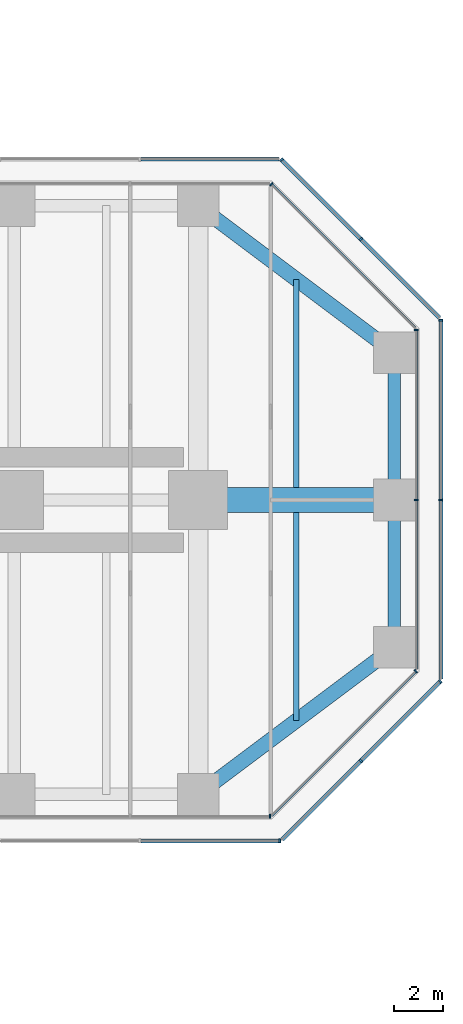
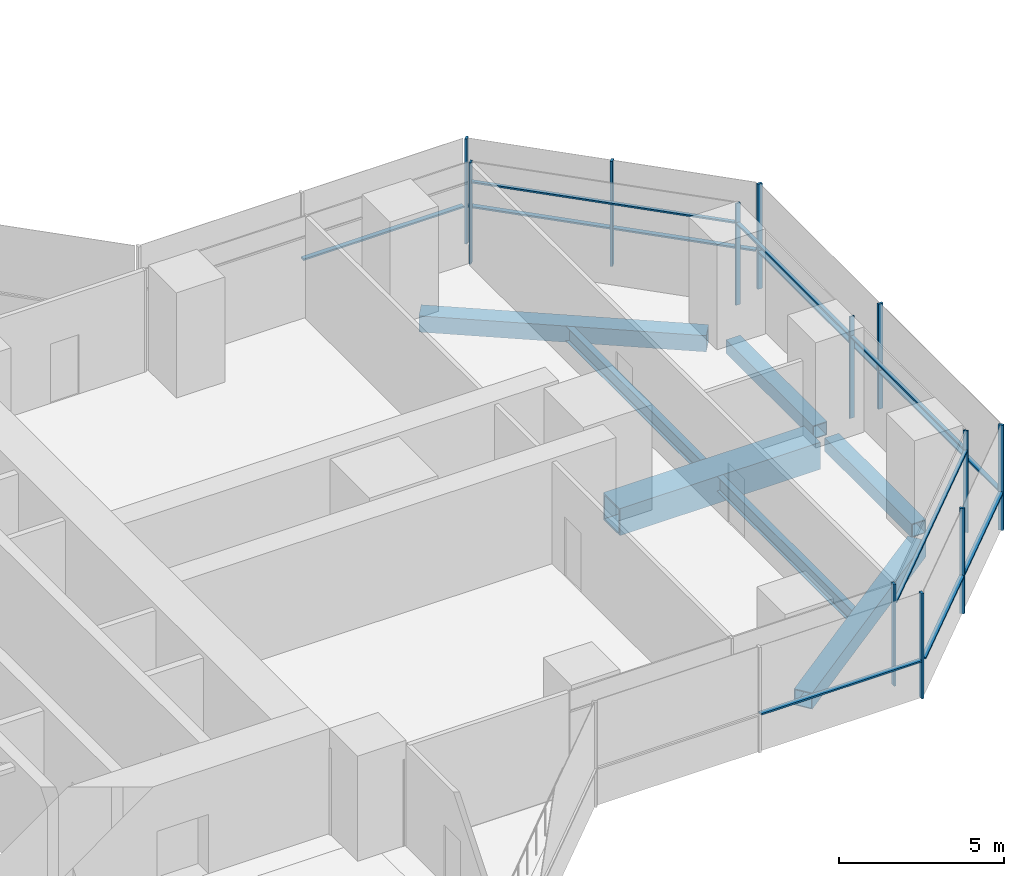
# One storey, part 12 of 22: 24 members, 7 beams, 9 elements without a shape of their own.
"""IFC4 building model written with IfcOpenShell, lengths in metres."""

import ifcopenshell
import ifcopenshell.guid

model = None  # the IFC model being written
_history = None  # IfcOwnerHistory: only IFC2X3 demands one
_inside = {}  # id of a spatial element -> (the spatial element, [elements in it])
_under = {}  # id of a project, library or spatial element -> (it, [spatial elements below it])
_declared = {}  # id of a project -> (the project, [libraries it declares])
_typed = {}  # id of a type object -> (the type object, [elements of that type])
_made_of = {}  # id of a material, layer set ... -> (it, [elements and type objects made of it])


def new_model(schema):
    """Start an empty IFC model of exactly this schema.

    Asked for "IFC4X3", IfcOpenShell would pick the latest addendum, in which some entities
    have other attributes; the version numbers below select the first issue.
    IFC2X3 requires an IfcOwnerHistory on every rooted entity: one is made here for all.
    """
    global model, _history
    if schema == "IFC4X3":
        model = ifcopenshell.file(schema_version=(4, 3, 0, 0))
    else:
        model = ifcopenshell.file(schema=schema)
    _inside.clear()
    _under.clear()
    _declared.clear()
    _typed.clear()
    _made_of.clear()
    _history = None
    if model.schema == "IFC2X3":
        org = make("IfcOrganization", Name="unknown")
        user = make(
            "IfcPersonAndOrganization",
            ThePerson=make("IfcPerson", FamilyName="unknown"),
            TheOrganization=org,
        )
        app = make(
            "IfcApplication",
            ApplicationDeveloper=org,
            Version="unknown",
            ApplicationFullName="unknown",
            ApplicationIdentifier="unknown",
        )
        _history = make(
            "IfcOwnerHistory",
            OwningUser=user,
            OwningApplication=app,
            ChangeAction="ADDED",
            CreationDate=0,
        )
    return model


def make(cls, **values):
    """One entity of the class cls with the attributes given. An attribute that is None is left unset."""
    return model.create_entity(
        cls, **{name: value for name, value in values.items() if value is not None}
    )


def rooted(cls, **values):
    """An entity with a GlobalId (a new one), such as an element, a storey or a relation."""
    return make(cls, GlobalId=ifcopenshell.guid.new(), OwnerHistory=_history, **values)


def si_unit(unit_type, name, prefix=None):
    """IfcSIUnit, for example si_unit("LENGTHUNIT", "METRE", prefix="MILLI")."""
    return make("IfcSIUnit", UnitType=unit_type, Prefix=prefix, Name=name)


def assignment(units):
    """IfcUnitAssignment: the units of a project."""
    return None if units is None else make("IfcUnitAssignment", Units=units)


def point(xyz):
    """IfcCartesianPoint."""
    return None if xyz is None else make("IfcCartesianPoint", Coordinates=xyz)


def direction(xyz):
    """IfcDirection."""
    return None if xyz is None else make("IfcDirection", DirectionRatios=xyz)


def frame(location, z_axis=None, x_axis=None):
    """IfcAxis2Placement3D, a coordinate frame: its origin and axes. An axis left out is left unset."""
    return make(
        "IfcAxis2Placement3D",
        Location=point(location),
        Axis=direction(z_axis),
        RefDirection=direction(x_axis),
    )


def frame_2d(location, x_axis=None):
    """IfcAxis2Placement2D, a coordinate frame in the plane: its origin and x axis."""
    return make(
        "IfcAxis2Placement2D", Location=point(location), RefDirection=direction(x_axis)
    )


def origin():
    """The frame at (0, 0, 0) with its axes left unset."""
    return frame((0.0, 0.0, 0.0))


def origin_2d():
    """The frame at (0, 0) in the plane with its x axis left unset."""
    return frame_2d((0.0, 0.0))


def place(relative_to, where):
    """IfcLocalPlacement: puts the frame where relative to a parent placement (None: the world)."""
    return make(
        "IfcLocalPlacement", PlacementRelTo=relative_to, RelativePlacement=where
    )


def context(
    kind, dimensions, precision=None, world=None, true_north=None, identifier=None
):
    """IfcGeometricRepresentationContext, for example the 3D "Model" context."""
    return make(
        "IfcGeometricRepresentationContext",
        ContextIdentifier=identifier,
        ContextType=kind,
        CoordinateSpaceDimension=dimensions,
        Precision=precision,
        WorldCoordinateSystem=world,
        TrueNorth=true_north,
    )


def subcontext(parent, identifier, kind, view, scale=None):
    """IfcGeometricRepresentationSubContext, for example "Body" below "Model"."""
    return make(
        "IfcGeometricRepresentationSubContext",
        ContextIdentifier=identifier,
        ContextType=kind,
        ParentContext=parent,
        TargetScale=scale,
        TargetView=view,
    )


def project(units=None, contexts=None):
    """IfcProject with its units and contexts."""
    return rooted(
        "IfcProject",
        Name="project",
        RepresentationContexts=contexts,
        UnitsInContext=assignment(units),
    )


def spatial(cls, under=None, at=None, **own):
    """A site, building, storey or space (cls), placed at a placement, below another one or the project."""
    s = rooted(cls, ObjectPlacement=at, **own)
    if under is not None:
        _under.setdefault(under.id(), (under, []))[1].append(s)
    return s


def profile(cls, at=None, kind="AREA", **sizes):
    """A parametric profile (cls). Its sizes go by their IFC names, for example OverallWidth=200.0."""
    return make(cls, ProfileType=kind, Position=at, **sizes)


def rectangle(**sizes):
    """IfcRectangleProfileDef."""
    return profile("IfcRectangleProfileDef", **sizes)


def hollow_rectangle(**sizes):
    """IfcRectangleHollowProfileDef."""
    return profile("IfcRectangleHollowProfileDef", **sizes)


def i_section(**sizes):
    """IfcIShapeProfileDef."""
    return profile("IfcIShapeProfileDef", **sizes)


def extrude(swept, where, along, depth):
    """IfcExtrudedAreaSolid: the profile swept, set in the frame where, extruded along a direction by depth."""
    return make(
        "IfcExtrudedAreaSolid",
        SweptArea=swept,
        Position=where,
        ExtrudedDirection=direction(along),
        Depth=depth,
    )


def shape(context_of_items, identifier, shape_type, items):
    """IfcShapeRepresentation: the items that make up one representation, for example the "Body"."""
    return make(
        "IfcShapeRepresentation",
        ContextOfItems=context_of_items,
        RepresentationIdentifier=identifier,
        RepresentationType=shape_type,
        Items=items,
    )


def material(Name=None, Category=None):
    """IfcMaterial."""
    return make("IfcMaterial", Name=Name, Category=Category)


def material_profile(
    of_material, cross_section, Name=None, Category=None, Priority=None
):
    """IfcMaterialProfile: a cross section and its material."""
    return make(
        "IfcMaterialProfile",
        Name=Name,
        Material=of_material,
        Profile=cross_section,
        Priority=Priority,
        Category=Category,
    )


def profile_set(profiles, Name=None, composite=None):
    """IfcMaterialProfileSet."""
    return make(
        "IfcMaterialProfileSet",
        Name=Name,
        MaterialProfiles=profiles,
        CompositeProfile=composite,
    )


def made_of(thing, what):
    """Note that an element or type object is made of a material, layer set ...; save() writes the relation."""
    if what is not None:
        _made_of.setdefault(what.id(), (what, []))[1].append(thing)
    return thing


def type_object(cls, material=None, **own):
    """A type object (cls), such as IfcWallType, which elements share."""
    return made_of(rooted(cls, **own), material)


def element(
    cls,
    number,
    at=None,
    inside=None,
    cuts=None,
    type_object=None,
    material=None,
    context=None,
    identifier="Body",
    shape_type=None,
    held_by="IfcProductDefinitionShape",
    body=None,
    shapes=None,
    **own,
):
    """One element of the class cls, such as IfcWall. Its Tag is "e" and its number.

    at: its placement. inside: the storey or other place that contains it. cuts: it is an
    opening in that element (IfcRelVoidsElement). A single representation is given by context,
    identifier, shape_type and body (its items); several are given by shapes. held_by: the class
    of the entity that holds the representations. save() writes the other relations.
    """
    e = rooted(cls, Tag="e%d" % number, ObjectPlacement=at, **own)
    if body is not None:
        shapes = [shape(context, identifier, shape_type, body)]
    if shapes is not None:
        e.Representation = make(held_by, Representations=shapes)
    if inside is not None:
        _inside.setdefault(inside.id(), (inside, []))[1].append(e)
    if cuts is not None:
        rooted(
            "IfcRelVoidsElement", RelatingBuildingElement=cuts, RelatedOpeningElement=e
        )
    if type_object is not None:
        _typed.setdefault(type_object.id(), (type_object, []))[1].append(e)
    return made_of(e, material)


def aggregate(whole, parts):
    """IfcRelAggregates: a whole, such as a stair, and the parts it consists of."""
    return rooted("IfcRelAggregates", RelatingObject=whole, RelatedObjects=parts)


def save(model, path):
    """Write the relations noted so far, then the file.

    IfcRelAggregates (storeys below a building ...), IfcRelContainedInSpatialStructure (elements
    in a storey), IfcRelDefinesByType, IfcRelAssociatesMaterial and IfcRelDeclares: one each for
    every whole, place, type object, material and project.
    """
    for whole, parts in _under.values():
        aggregate(whole, parts)
    for where, things in _inside.values():
        rooted(
            "IfcRelContainedInSpatialStructure",
            RelatedElements=things,
            RelatingStructure=where,
        )
    for kind, things in _typed.values():
        rooted("IfcRelDefinesByType", RelatedObjects=things, RelatingType=kind)
    for what, things in _made_of.values():
        rooted("IfcRelAssociatesMaterial", RelatedObjects=things, RelatingMaterial=what)
    for by, libraries in _declared.values():
        rooted("IfcRelDeclares", RelatingContext=by, RelatedDefinitions=libraries)
    model.write(path)


model = new_model("IFC4")

# Units and contexts
model_context = context("Model", 3, precision=1e-05, world=origin(), true_north=direction((0.0, 1.0)))
body_context = subcontext(model_context, "Body", "Model", "MODEL_VIEW")
ifc_project = project(units=[si_unit("LENGTHUNIT", "METRE"), si_unit("AREAUNIT", "SQUARE_METRE"), si_unit("VOLUMEUNIT", "CUBIC_METRE"), si_unit("PLANEANGLEUNIT", "RADIAN"), si_unit("MASSUNIT", "GRAM", prefix="KILO")], contexts=[model_context])

# Site, building, storey
site_placement = place(None, origin())
site = spatial("IfcSite", under=ifc_project, at=site_placement, CompositionType="ELEMENT")
building_placement = place(site_placement, origin())
building = spatial("IfcBuilding", under=site, at=building_placement, Name="Mizan Broadcast Tower", CompositionType="ELEMENT")
storey_placement = place(building_placement, frame((0.0, 0.0, 70.800048828125)))
storey = spatial("IfcBuildingStorey", under=building, at=storey_placement, Name="L14", CompositionType="ELEMENT", Elevation=70.800048828125)

# Beams
ifc_material_1 = material(Name="Steel S355", Category="steel")
ifc_material_profile_1 = material_profile(ifc_material_1, hollow_rectangle(XDim=0.5, YDim=0.5, WallThickness=0.030029296875, at=origin_2d()), Name="BOX 500x500x30")
ifc_profile_set_1 = profile_set([ifc_material_profile_1], Name="Steel S355")
beam_type_1 = type_object("IfcBeamType", Name="EDGE BEAM BOX 500x500x30", PredefinedType="SPANDREL", material=ifc_profile_set_1)
for number, where, z_axis, x_axis, name in (
    (1, (35.0, -5.639892578125, -0.380126953125), (0.0, 1.0, 0.0), (-1.0, 0.0, 0.0), "Edge beam BOX 500x500x30 L14 east arm"),
    (2, (35.0, 5.639892578125, -0.380126953125), (0.0, -1.0, 0.0), (1.0, 0.0, 0.0), "Edge beam BOX 500x500x30 L14 east arm"),
):
    element("IfcBeam", number, at=place(storey_placement, frame(where, z_axis=z_axis, x_axis=x_axis)), inside=storey, type_object=beam_type_1, Name=name, PredefinedType="SPANDREL", context=body_context, shape_type="SweptSolid", body=[
        extrude(hollow_rectangle(XDim=0.5, YDim=0.5, WallThickness=0.030029296875, at=origin_2d()), origin(), (0.0, 0.0, 1.0), 5.27978515625),
    ])
ifc_material_2 = material(Name="Steel S355", Category="steel")
ifc_material_profile_2 = material_profile(ifc_material_2, hollow_rectangle(XDim=0.60009765625, YDim=0.60009765625, WallThickness=0.030029296875, at=origin_2d()), Name="BOX 600x600x30")
ifc_profile_set_2 = profile_set([ifc_material_profile_2], Name="Steel S355")
beam_type_2 = type_object("IfcBeamType", Name="EDGE BEAM BOX 600x600x30", PredefinedType="SPANDREL", material=ifc_profile_set_2)
for number, where, z_axis, x_axis, name in (
    (3, (27.47998046875, -11.639892578125, -0.429931640625), (0.800013316712, 0.599982243973, 0.0), (-0.599982243973, 0.800013316712, 0.0), "Edge beam BOX 600x600x30 L14 east arm"),
    (4, (27.47998046875, 11.639892578125, -0.429931640625), (0.800013316712, -0.599982243973, 0.0), (0.599982243973, 0.800013316712, 0.0), "Edge beam BOX 600x600x30 L14 east arm"),
):
    element("IfcBeam", number, at=place(storey_placement, frame(where, z_axis=z_axis, x_axis=x_axis)), inside=storey, type_object=beam_type_2, Name=name, PredefinedType="SPANDREL", context=body_context, shape_type="SweptSolid", body=[
        extrude(hollow_rectangle(XDim=0.60009765625, YDim=0.60009765625, WallThickness=0.030029296875, at=origin_2d()), origin(), (0.0, 0.0, 1.0), 8.7998046875),
    ])
ifc_material_3 = material(Name="Steel S460", Category="steel")
ifc_material_profile_3 = material_profile(ifc_material_3, hollow_rectangle(XDim=1.0, YDim=1.0, WallThickness=0.06005859375, at=origin_2d()), Name="BOX 1000x1000x60")
ifc_profile_set_3 = profile_set([ifc_material_profile_3], Name="Steel S460")
beam_type_3 = type_object("IfcBeamType", Name="GIRDER BOX 1000x1000x60", PredefinedType="BEAM", material=ifc_profile_set_3)
beam_placement = place(storey_placement, frame((27.47998046875, 0.0, -0.630126953125), z_axis=(1.0, 0.0, 0.0), x_axis=(0.0, 1.0, 0.0)))
element("IfcBeam", 5, at=beam_placement, inside=storey, type_object=beam_type_3, Name="Girder BOX 1000x1000x60 L14 east arm", PredefinedType="BEAM", context=body_context, shape_type="SweptSolid", body=[
    extrude(hollow_rectangle(XDim=1.0, YDim=1.0, WallThickness=0.06005859375, at=origin_2d()), origin(), (0.0, 0.0, 1.0), 7.0400390625),
])

# Curtain wall, member
ifc_material_4 = material(Name="Aluminium framed glazing", Category="aluminium")
curtain_wall_type_1 = type_object("IfcCurtainWallType", Name="INNER SKIN LOW ZONE", PredefinedType="USERDEFINED", material=ifc_material_4)
curtain_wall_1_placement = place(storey_placement, origin())
curtain_wall_1 = element("IfcCurtainWall", 6, at=curtain_wall_1_placement, inside=storey, type_object=curtain_wall_type_1, Name="Inner skin low zone L14 E side", ObjectType="INNER SKIN LOW ZONE", PredefinedType="USERDEFINED")
ifc_material_5 = material(Name="Aluminium, pale anodised", Category="aluminium")
ifc_material_profile_4 = material_profile(ifc_material_5, rectangle(XDim=0.159912109375, YDim=0.06005859375, at=origin_2d()), Name="MULLION 160x60")
ifc_profile_set_4 = profile_set([ifc_material_profile_4], Name="Aluminium, pale anodised")
member_type_1 = type_object("IfcMemberType", Name="INNER SKIN MULLION 60x160", PredefinedType="MULLION", material=ifc_profile_set_4)
member_1_placement = place(storey_placement, frame((29.928466796875, -12.89990234375, 0.0), z_axis=(0.0, 0.0, 1.0), x_axis=(0.0, 1.0, 0.0)))
member_1 = element("IfcMember", 7, at=member_1_placement, type_object=member_type_1, Name="Inner skin low zone L14 E side mullion 3", PredefinedType="MULLION", context=body_context, shape_type="SweptSolid", body=[
    extrude(rectangle(XDim=0.159912109375, YDim=0.06005859375, at=origin_2d()), origin(), (0.0, 0.0, 1.0), 3.77001953125),
])
aggregate(curtain_wall_1, [member_1])

curtain_wall_2_placement = place(storey_placement, origin())
curtain_wall_2 = element("IfcCurtainWall", 8, at=curtain_wall_2_placement, inside=storey, type_object=curtain_wall_type_1, Name="Inner skin low zone L14 E chamfer", ObjectType="INNER SKIN LOW ZONE", PredefinedType="USERDEFINED")
member_2_placement = place(storey_placement, frame((35.87890625, -6.979736328125, 0.0), z_axis=(0.0, 0.0, 1.0), x_axis=(-0.707106781187, 0.707106781187, 0.0)))
member_2 = element("IfcMember", 9, at=member_2_placement, type_object=member_type_1, Name="Inner skin low zone L14 E chamfer mullion 2", PredefinedType="MULLION", context=body_context, shape_type="SweptSolid", body=[
    extrude(rectangle(XDim=0.159912109375, YDim=0.06005859375, at=origin_2d()), origin(), (0.0, 0.0, 1.0), 3.77001953125),
])

# Curtain wall, members
curtain_wall_3_placement = place(storey_placement, origin())
curtain_wall_3 = element("IfcCurtainWall", 10, at=curtain_wall_3_placement, inside=storey, type_object=curtain_wall_type_1, Name="Inner skin low zone L14 E end", ObjectType="INNER SKIN LOW ZONE", PredefinedType="USERDEFINED")
member_3_placement = place(storey_placement, frame((35.89990234375, 0.0, 0.0), z_axis=(0.0, 0.0, 1.0), x_axis=(-1.0, 0.0, 0.0)))
member_3 = element("IfcMember", 11, at=member_3_placement, type_object=member_type_1, Name="Inner skin low zone L14 E end mullion 2", PredefinedType="MULLION", context=body_context, shape_type="SweptSolid", body=[
    extrude(rectangle(XDim=0.159912109375, YDim=0.06005859375, at=origin_2d()), origin(), (0.0, 0.0, 1.0), 3.77001953125),
])
member_4_placement = place(storey_placement, frame((35.89990234375, 6.928466796875, 0.0), z_axis=(0.0, 0.0, 1.0), x_axis=(-1.0, 0.0, 0.0)))
member_4 = element("IfcMember", 12, at=member_4_placement, type_object=member_type_1, Name="Inner skin low zone L14 E end mullion 3", PredefinedType="MULLION", context=body_context, shape_type="SweptSolid", body=[
    extrude(rectangle(XDim=0.159912109375, YDim=0.06005859375, at=origin_2d()), origin(), (0.0, 0.0, 1.0), 3.77001953125),
])

# Curtain wall, member
curtain_wall_4_placement = place(storey_placement, origin())
curtain_wall_4 = element("IfcCurtainWall", 13, at=curtain_wall_4_placement, inside=storey, type_object=curtain_wall_type_1, Name="Inner skin low zone L14 E chamfer", ObjectType="INNER SKIN LOW ZONE", PredefinedType="USERDEFINED")
member_5_placement = place(storey_placement, frame((29.979736328125, 12.87890625, 0.0), z_axis=(0.0, 0.0, 1.0), x_axis=(-0.707106781187, -0.707106781187, 0.0)))
member_5 = element("IfcMember", 14, at=member_5_placement, type_object=member_type_1, Name="Inner skin low zone L14 E chamfer mullion 2", PredefinedType="MULLION", context=body_context, shape_type="SweptSolid", body=[
    extrude(rectangle(XDim=0.159912109375, YDim=0.06005859375, at=origin_2d()), origin(), (0.0, 0.0, 1.0), 3.77001953125),
])

# Member
ifc_material_6 = material(Name="Aluminium, pale anodised", Category="aluminium")
ifc_material_profile_5 = material_profile(ifc_material_6, rectangle(XDim=0.1201171875, YDim=0.06005859375, at=origin_2d()), Name="TRANSOM 120x60")
ifc_profile_set_5 = profile_set([ifc_material_profile_5], Name="Aluminium, pale anodised")
member_type_2 = type_object("IfcMemberType", Name="INNER SKIN TRANSOM 60x120", PredefinedType="USERDEFINED", material=ifc_profile_set_5)
member_6_placement = place(storey_placement, frame((30.0009765625, -12.857666015625, 3.030029296875), z_axis=(0.707106781187, 0.707106781187, 0.0), x_axis=(-0.707106781187, 0.707106781187, 0.0)))
member_6 = element("IfcMember", 15, at=member_6_placement, type_object=member_type_2, Name="Inner skin low zone L14 E chamfer transom 1.1", ObjectType="TRANSOM", PredefinedType="USERDEFINED", context=body_context, shape_type="SweptSolid", body=[
    extrude(rectangle(XDim=0.1201171875, YDim=0.06005859375, at=origin_2d()), origin(), (0.0, 0.0, 1.0), 8.28271484375),
])

aggregate(curtain_wall_2, [member_2, member_6])

member_7_placement = place(storey_placement, frame((35.89990234375, -6.898681640625, 3.030029296875), z_axis=(0.0, 1.0, 0.0), x_axis=(-1.0, 0.0, 0.0)))
member_7 = element("IfcMember", 16, at=member_7_placement, type_object=member_type_2, Name="Inner skin low zone L14 E end transom 1.1", ObjectType="TRANSOM", PredefinedType="USERDEFINED", context=body_context, shape_type="SweptSolid", body=[
    extrude(rectangle(XDim=0.1201171875, YDim=0.06005859375, at=origin_2d()), origin(), (0.0, 0.0, 1.0), 6.86865234375),
])

member_8_placement = place(storey_placement, frame((35.89990234375, 0.030029296875, 3.030029296875), z_axis=(0.0, 1.0, 0.0), x_axis=(-1.0, 0.0, 0.0)))
member_8 = element("IfcMember", 17, at=member_8_placement, type_object=member_type_2, Name="Inner skin low zone L14 E end transom 2.1", ObjectType="TRANSOM", PredefinedType="USERDEFINED", context=body_context, shape_type="SweptSolid", body=[
    extrude(rectangle(XDim=0.1201171875, YDim=0.06005859375, at=origin_2d()), origin(), (0.0, 0.0, 1.0), 6.86865234375),
])

aggregate(curtain_wall_3, [member_3, member_4, member_7, member_8])

member_9_placement = place(storey_placement, frame((35.857666015625, 7.0009765625, 3.030029296875), z_axis=(-0.707106781187, 0.707106781187, 0.0), x_axis=(-0.707106781187, -0.707106781187, 0.0)))
member_9 = element("IfcMember", 18, at=member_9_placement, type_object=member_type_2, Name="Inner skin low zone L14 E chamfer transom 1.1", ObjectType="TRANSOM", PredefinedType="USERDEFINED", context=body_context, shape_type="SweptSolid", body=[
    extrude(rectangle(XDim=0.1201171875, YDim=0.06005859375, at=origin_2d()), origin(), (0.0, 0.0, 1.0), 8.28271484375),
])

aggregate(curtain_wall_4, [member_5, member_9])

# Curtain wall, members
ifc_material_7 = material(Name="Aluminium framed glazing", Category="aluminium")
curtain_wall_type_2 = type_object("IfcCurtainWallType", Name="OUTER SKIN", PredefinedType="USERDEFINED", material=ifc_material_7)
curtain_wall_5_placement = place(storey_placement, origin())
curtain_wall_5 = element("IfcCurtainWall", 19, at=curtain_wall_5_placement, inside=storey, type_object=curtain_wall_type_2, Name="Outer skin L14 E chamfer", ObjectType="OUTER SKIN", PredefinedType="USERDEFINED")
ifc_material_8 = material(Name="Aluminium, pale anodised", Category="aluminium")
ifc_material_profile_6 = material_profile(ifc_material_8, rectangle(XDim=0.159912109375, YDim=0.080078125, at=origin_2d()), Name="MULLION 160x80")
ifc_profile_set_6 = profile_set([ifc_material_profile_6], Name="Aluminium, pale anodised")
member_type_3 = type_object("IfcMemberType", Name="OUTER SKIN MULLION 80x160", PredefinedType="MULLION", material=ifc_profile_set_6)
member_10_placement = place(storey_placement, frame((33.636474609375, -10.636474609375, 0.0), z_axis=(0.0, 0.0, 1.0), x_axis=(-0.707106781187, 0.707106781187, 0.0)))
member_10 = element("IfcMember", 20, at=member_10_placement, type_object=member_type_3, Name="Outer skin L14 E chamfer mullion 2", PredefinedType="MULLION", context=body_context, shape_type="SweptSolid", body=[
    extrude(rectangle(XDim=0.159912109375, YDim=0.080078125, at=origin_2d()), origin(), (0.0, 0.0, 1.0), 3.89990234375),
])
member_11_placement = place(storey_placement, frame((36.871826171875, -7.401123046875, 0.0), z_axis=(0.0, 0.0, 1.0), x_axis=(-0.707106781187, 0.707106781187, 0.0)))
member_11 = element("IfcMember", 21, at=member_11_placement, type_object=member_type_3, Name="Outer skin L14 E chamfer mullion 3", PredefinedType="MULLION", context=body_context, shape_type="SweptSolid", body=[
    extrude(rectangle(XDim=0.159912109375, YDim=0.080078125, at=origin_2d()), origin(), (0.0, 0.0, 1.0), 3.89990234375),
])

curtain_wall_6_placement = place(storey_placement, origin())
curtain_wall_6 = element("IfcCurtainWall", 22, at=curtain_wall_6_placement, inside=storey, type_object=curtain_wall_type_2, Name="Outer skin L14 E end", ObjectType="OUTER SKIN", PredefinedType="USERDEFINED")
member_12_placement = place(storey_placement, frame((36.89990234375, 0.0, 0.0), z_axis=(0.0, 0.0, 1.0), x_axis=(-1.0, 0.0, 0.0)))
member_12 = element("IfcMember", 23, at=member_12_placement, type_object=member_type_3, Name="Outer skin L14 E end mullion 2", PredefinedType="MULLION", context=body_context, shape_type="SweptSolid", body=[
    extrude(rectangle(XDim=0.159912109375, YDim=0.080078125, at=origin_2d()), origin(), (0.0, 0.0, 1.0), 3.89990234375),
])
member_13_placement = place(storey_placement, frame((36.89990234375, 7.332763671875, 0.0), z_axis=(0.0, 0.0, 1.0), x_axis=(-1.0, 0.0, 0.0)))
member_13 = element("IfcMember", 24, at=member_13_placement, type_object=member_type_3, Name="Outer skin L14 E end mullion 3", PredefinedType="MULLION", context=body_context, shape_type="SweptSolid", body=[
    extrude(rectangle(XDim=0.159912109375, YDim=0.080078125, at=origin_2d()), origin(), (0.0, 0.0, 1.0), 3.89990234375),
])

curtain_wall_7_placement = place(storey_placement, origin())
curtain_wall_7 = element("IfcCurtainWall", 25, at=curtain_wall_7_placement, inside=storey, type_object=curtain_wall_type_2, Name="Outer skin L14 E chamfer", ObjectType="OUTER SKIN", PredefinedType="USERDEFINED")
member_14_placement = place(storey_placement, frame((33.636474609375, 10.636474609375, 0.0), z_axis=(0.0, 0.0, 1.0), x_axis=(-0.707106781187, -0.707106781187, 0.0)))
member_14 = element("IfcMember", 26, at=member_14_placement, type_object=member_type_3, Name="Outer skin L14 E chamfer mullion 2", PredefinedType="MULLION", context=body_context, shape_type="SweptSolid", body=[
    extrude(rectangle(XDim=0.159912109375, YDim=0.080078125, at=origin_2d()), origin(), (0.0, 0.0, 1.0), 3.89990234375),
])
member_15_placement = place(storey_placement, frame((30.401123046875, 13.871826171875, 0.0), z_axis=(0.0, 0.0, 1.0), x_axis=(-0.707106781187, -0.707106781187, 0.0)))
member_15 = element("IfcMember", 27, at=member_15_placement, type_object=member_type_3, Name="Outer skin L14 E chamfer mullion 3", PredefinedType="MULLION", context=body_context, shape_type="SweptSolid", body=[
    extrude(rectangle(XDim=0.159912109375, YDim=0.080078125, at=origin_2d()), origin(), (0.0, 0.0, 1.0), 3.89990234375),
])

# Curtain wall, member
curtain_wall_8_placement = place(storey_placement, origin())
curtain_wall_8 = element("IfcCurtainWall", 28, at=curtain_wall_8_placement, inside=storey, type_object=curtain_wall_type_2, Name="Outer skin L14 E side", ObjectType="OUTER SKIN", PredefinedType="USERDEFINED")
member_16_placement = place(storey_placement, frame((30.332763671875, -13.89990234375, 0.0), z_axis=(0.0, 0.0, 1.0), x_axis=(0.0, 1.0, 0.0)))
member_16 = element("IfcMember", 29, at=member_16_placement, type_object=member_type_3, Name="Outer skin L14 E side mullion 3", PredefinedType="MULLION", context=body_context, shape_type="SweptSolid", body=[
    extrude(rectangle(XDim=0.159912109375, YDim=0.080078125, at=origin_2d()), origin(), (0.0, 0.0, 1.0), 3.89990234375),
])

# Member
ifc_material_9 = material(Name="Aluminium, pale anodised", Category="aluminium")
ifc_material_profile_7 = material_profile(ifc_material_9, rectangle(XDim=0.159912109375, YDim=0.06005859375, at=origin_2d()), Name="TRANSOM 160x60")
ifc_profile_set_7 = profile_set([ifc_material_profile_7], Name="Aluminium, pale anodised")
member_type_4 = type_object("IfcMemberType", Name="OUTER SKIN TRANSOM 60x160", PredefinedType="USERDEFINED", material=ifc_profile_set_7)
member_17_placement = place(storey_placement, frame((30.429443359375, -13.843505859375, 1.39990234375), z_axis=(0.707106781187, 0.707106781187, 0.0), x_axis=(-0.707106781187, 0.707106781187, 0.0)))
member_17 = element("IfcMember", 30, at=member_17_placement, type_object=member_type_4, Name="Outer skin L14 E chamfer transom 1.1", ObjectType="TRANSOM", PredefinedType="USERDEFINED", context=body_context, shape_type="SweptSolid", body=[
    extrude(rectangle(XDim=0.159912109375, YDim=0.06005859375, at=origin_2d()), origin(), (0.0, 0.0, 1.0), 4.495361328125),
])

member_18_placement = place(storey_placement, frame((33.664794921875, -10.608154296875, 1.39990234375), z_axis=(0.707106781187, 0.707106781187, 0.0), x_axis=(-0.707106781187, 0.707106781187, 0.0)))
member_18 = element("IfcMember", 31, at=member_18_placement, type_object=member_type_4, Name="Outer skin L14 E chamfer transom 2.1", ObjectType="TRANSOM", PredefinedType="USERDEFINED", context=body_context, shape_type="SweptSolid", body=[
    extrude(rectangle(XDim=0.159912109375, YDim=0.06005859375, at=origin_2d()), origin(), (0.0, 0.0, 1.0), 4.495361328125),
])

aggregate(curtain_wall_5, [member_10, member_11, member_17, member_18])

member_19_placement = place(storey_placement, frame((36.89990234375, -7.292724609375, 1.39990234375), z_axis=(0.0, 1.0, 0.0), x_axis=(-1.0, 0.0, 0.0)))
member_19 = element("IfcMember", 32, at=member_19_placement, type_object=member_type_4, Name="Outer skin L14 E end transom 1.1", ObjectType="TRANSOM", PredefinedType="USERDEFINED", context=body_context, shape_type="SweptSolid", body=[
    extrude(rectangle(XDim=0.159912109375, YDim=0.06005859375, at=origin_2d()), origin(), (0.0, 0.0, 1.0), 7.252685546875),
])

member_20_placement = place(storey_placement, frame((36.89990234375, 0.0400390625, 1.39990234375), z_axis=(0.0, 1.0, 0.0), x_axis=(-1.0, 0.0, 0.0)))
member_20 = element("IfcMember", 33, at=member_20_placement, type_object=member_type_4, Name="Outer skin L14 E end transom 2.1", ObjectType="TRANSOM", PredefinedType="USERDEFINED", context=body_context, shape_type="SweptSolid", body=[
    extrude(rectangle(XDim=0.159912109375, YDim=0.06005859375, at=origin_2d()), origin(), (0.0, 0.0, 1.0), 7.252685546875),
])

aggregate(curtain_wall_6, [member_12, member_13, member_19, member_20])

member_21_placement = place(storey_placement, frame((36.843505859375, 7.429443359375, 1.39990234375), z_axis=(-0.707106781187, 0.707106781187, 0.0), x_axis=(-0.707106781187, -0.707106781187, 0.0)))
member_21 = element("IfcMember", 34, at=member_21_placement, type_object=member_type_4, Name="Outer skin L14 E chamfer transom 1.1", ObjectType="TRANSOM", PredefinedType="USERDEFINED", context=body_context, shape_type="SweptSolid", body=[
    extrude(rectangle(XDim=0.159912109375, YDim=0.06005859375, at=origin_2d()), origin(), (0.0, 0.0, 1.0), 4.495361328125),
])

member_22_placement = place(storey_placement, frame((33.608154296875, 10.664794921875, 1.39990234375), z_axis=(-0.707106781187, 0.707106781187, 0.0), x_axis=(-0.707106781187, -0.707106781187, 0.0)))
member_22 = element("IfcMember", 35, at=member_22_placement, type_object=member_type_4, Name="Outer skin L14 E chamfer transom 2.1", ObjectType="TRANSOM", PredefinedType="USERDEFINED", context=body_context, shape_type="SweptSolid", body=[
    extrude(rectangle(XDim=0.159912109375, YDim=0.06005859375, at=origin_2d()), origin(), (0.0, 0.0, 1.0), 4.495361328125),
])

aggregate(curtain_wall_7, [member_14, member_15, member_21, member_22])

# Curtain wall, member
curtain_wall_9_placement = place(storey_placement, origin())
curtain_wall_9 = element("IfcCurtainWall", 36, at=curtain_wall_9_placement, inside=storey, type_object=curtain_wall_type_2, Name="Outer skin L14 E side", ObjectType="OUTER SKIN", PredefinedType="USERDEFINED")
member_23_placement = place(storey_placement, frame((30.292724609375, 13.89990234375, 1.39990234375), z_axis=(-1.0, 0.0, 0.0), x_axis=(0.0, -1.0, 0.0)))
member_23 = element("IfcMember", 37, at=member_23_placement, type_object=member_type_4, Name="Outer skin L14 E side transom 1.1", ObjectType="TRANSOM", PredefinedType="USERDEFINED", context=body_context, shape_type="SweptSolid", body=[
    extrude(rectangle(XDim=0.159912109375, YDim=0.06005859375, at=origin_2d()), origin(), (0.0, 0.0, 1.0), 5.6298828125),
])
aggregate(curtain_wall_9, [member_23])

# Member
member_24_placement = place(storey_placement, frame((24.662841796875, -13.89990234375, 1.39990234375), z_axis=(1.0, 0.0, 0.0), x_axis=(0.0, 1.0, 0.0)))
member_24 = element("IfcMember", 38, at=member_24_placement, type_object=member_type_4, Name="Outer skin L14 E side transom 2.1", ObjectType="TRANSOM", PredefinedType="USERDEFINED", context=body_context, shape_type="SweptSolid", body=[
    extrude(rectangle(XDim=0.159912109375, YDim=0.06005859375, at=origin_2d()), origin(), (0.0, 0.0, 1.0), 5.6298828125),
])

aggregate(curtain_wall_8, [member_16, member_24])

# Beams
ifc_material_10 = material(Name="Steel S355", Category="steel")
ifc_material_profile_8 = material_profile(ifc_material_10, i_section(OverallWidth=0.2099609375, OverallDepth=0.550048828125, WebThickness=0.010986328125, FlangeThickness=0.01708984375, FilletRadius=0.02392578125, at=origin_2d()), Name="IPE 550")
ifc_profile_set_8 = profile_set([ifc_material_profile_8], Name="Steel S355")
beam_type_4 = type_object("IfcBeamType", Name="SECONDARY BEAM IPE 550", PredefinedType="JOIST", material=ifc_profile_set_8)
for number, where, z_axis, x_axis, name in (
    (39, (31.0, -9.0, -0.405029296875), (0.0, 1.0, 0.0), (-1.0, 0.0, 0.0), "Secondary beam IPE 550 L14 east arm"),
    (40, (31.0, 9.0, -0.405029296875), (0.0, -1.0, 0.0), (1.0, 0.0, 0.0), "Secondary beam IPE 550 L14 east arm"),
):
    element("IfcBeam", number, at=place(storey_placement, frame(where, z_axis=z_axis, x_axis=x_axis)), inside=storey, type_object=beam_type_4, Name=name, PredefinedType="JOIST", context=body_context, shape_type="SweptSolid", body=[
        extrude(i_section(OverallWidth=0.2099609375, OverallDepth=0.550048828125, WebThickness=0.010986328125, FlangeThickness=0.01708984375, FilletRadius=0.02392578125, at=origin_2d()), origin(), (0.0, 0.0, 1.0), 8.5),
    ])

save(model, "model.ifc")
